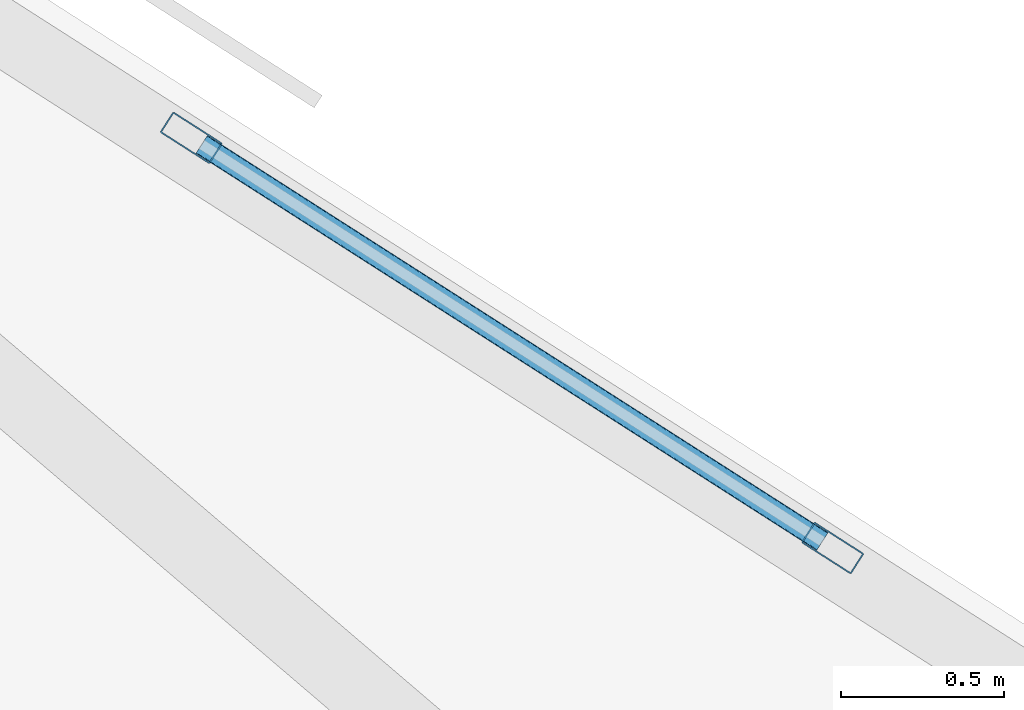
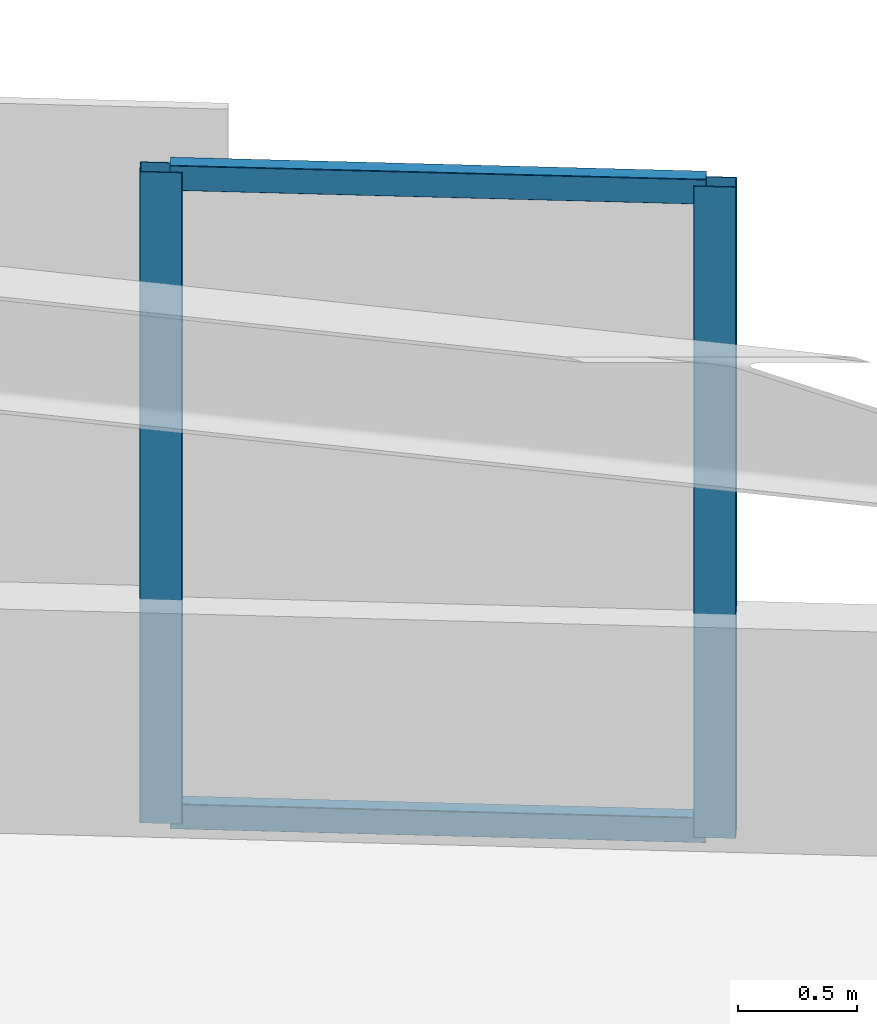
# One storey, part 2 of 16: 4 members, 1 element without a shape of its own.
"""IFC4 building model written with IfcOpenShell, lengths in metres."""

from ifc_helpers import new_model, si_unit, direction, frame, origin, origin_2d, place, context, subcontext, project, spatial, hollow_rectangle, extrude, material, material_profile, profile_set, type_object, element, aggregate, save


model = new_model("IFC4")

# Units and contexts
model_context = context("Model", 3, precision=1e-05, world=origin(), true_north=direction((0.0, 1.0)))
body_context = subcontext(model_context, "Body", "Model", "MODEL_VIEW")
ifc_project = project(units=[si_unit("LENGTHUNIT", "METRE"), si_unit("AREAUNIT", "SQUARE_METRE"), si_unit("VOLUMEUNIT", "CUBIC_METRE"), si_unit("PLANEANGLEUNIT", "RADIAN"), si_unit("MASSUNIT", "GRAM", prefix="KILO")], contexts=[model_context])

# Site, building, storey
site_placement = place(None, origin())
site = spatial("IfcSite", under=ifc_project, at=site_placement, CompositionType="ELEMENT")
building_placement = place(site_placement, origin())
building = spatial("IfcBuilding", under=site, at=building_placement, Name="Narakoshi Arena Tower", CompositionType="ELEMENT")
storey_placement = place(building_placement, frame((0.0, 0.0, 84.89990234375)))
storey = spatial("IfcBuildingStorey", under=building, at=storey_placement, Name="L22", CompositionType="ELEMENT", Elevation=84.89990234375)

# Curtain wall, members
ifc_material = material(Name="Anodised bronze aluminium 6063-T6", Category="aluminium")
curtain_wall_type = type_object("IfcCurtainWallType", Name="CW-HYP-LOW", PredefinedType="NOTDEFINED", material=ifc_material)
curtain_wall_placement = place(storey_placement, origin())
curtain_wall = element("IfcCurtainWall", 1, at=curtain_wall_placement, inside=storey, type_object=curtain_wall_type, Name="L22 Folded Hypotenuse Curtain Wall 2-1", PredefinedType="NOTDEFINED")
ifc_material_profile_1 = material_profile(ifc_material, hollow_rectangle(XDim=0.074951171875, YDim=0.179931640625, WallThickness=0.00390625, OuterFilletRadius=0.0048828125, at=origin_2d()), Name="MUL180x75x4")
ifc_profile_set_1 = profile_set([ifc_material_profile_1], Name="Anodised bronze aluminium 6063-T6")
member_type_1 = type_object("IfcMemberType", Name="MEM-MUL-180", PredefinedType="MULLION", material=ifc_profile_set_1)
member_1_placement = place(storey_placement, frame((91.90234375, 60.801025390625, 0.0), z_axis=(0.0, 0.0, 1.0), x_axis=(-0.538822365864, -0.842419407448, 0.0)))
member_1 = element("IfcMember", 2, at=member_1_placement, type_object=member_type_1, Name="CW-01 mullion 1", PredefinedType="MULLION", context=body_context, shape_type="SweptSolid", body=[
    extrude(hollow_rectangle(XDim=0.074951171875, YDim=0.179931640625, WallThickness=0.00390625, OuterFilletRadius=0.0048828125, at=origin_2d()), origin(), (0.0, 0.0, 1.0), 3.340087890625),
])
member_2_placement = place(storey_placement, frame((89.93994140625, 62.056396484375, 0.0), z_axis=(0.0, 0.0, 1.0), x_axis=(-0.538822365864, -0.842419407448, 0.0)))
member_2 = element("IfcMember", 3, at=member_2_placement, type_object=member_type_1, Name="CW-01 mullion 2", PredefinedType="MULLION", context=body_context, shape_type="SweptSolid", body=[
    extrude(hollow_rectangle(XDim=0.074951171875, YDim=0.179931640625, WallThickness=0.00390625, OuterFilletRadius=0.0048828125, at=origin_2d()), origin(), (0.0, 0.0, 1.0), 3.340087890625),
])
ifc_material_profile_2 = material_profile(ifc_material, hollow_rectangle(XDim=0.06494140625, YDim=0.1298828125, WallThickness=0.00390625, OuterFilletRadius=0.0048828125, at=origin_2d()), Name="TRN130x65x4")
ifc_profile_set_2 = profile_set([ifc_material_profile_2], Name="Anodised bronze aluminium 6063-T6")
member_type_2 = type_object("IfcMemberType", Name="MEM-TRN-130", PredefinedType="USERDEFINED", material=ifc_profile_set_2)
member_3_placement = place(storey_placement, frame((91.870849609375, 60.8212890625, 0.03271484375), z_axis=(-0.842397246246, 0.538857012125, 0.0), x_axis=(-0.538857012125, -0.842397246246, 0.0)))
member_3 = element("IfcMember", 4, at=member_3_placement, type_object=member_type_2, Name="CW-01 transom 1.1", ObjectType="TRANSOM", PredefinedType="USERDEFINED", context=body_context, shape_type="SweptSolid", body=[
    extrude(hollow_rectangle(XDim=0.06494140625, YDim=0.1298828125, WallThickness=0.00390625, OuterFilletRadius=0.0048828125, at=origin_2d()), origin(), (0.0, 0.0, 1.0), 2.25439453125),
])
member_4_placement = place(storey_placement, frame((91.870849609375, 60.8212890625, 3.3076171875), z_axis=(-0.842397246246, 0.538857012125, 0.0), x_axis=(-0.538857012125, -0.842397246246, 0.0)))
member_4 = element("IfcMember", 5, at=member_4_placement, type_object=member_type_2, Name="CW-01 transom 1.2", ObjectType="TRANSOM", PredefinedType="USERDEFINED", context=body_context, shape_type="SweptSolid", body=[
    extrude(hollow_rectangle(XDim=0.06494140625, YDim=0.1298828125, WallThickness=0.00390625, OuterFilletRadius=0.0048828125, at=origin_2d()), origin(), (0.0, 0.0, 1.0), 2.25439453125),
])
aggregate(curtain_wall, [member_1, member_2, member_3, member_4])

save(model, "model.ifc")
